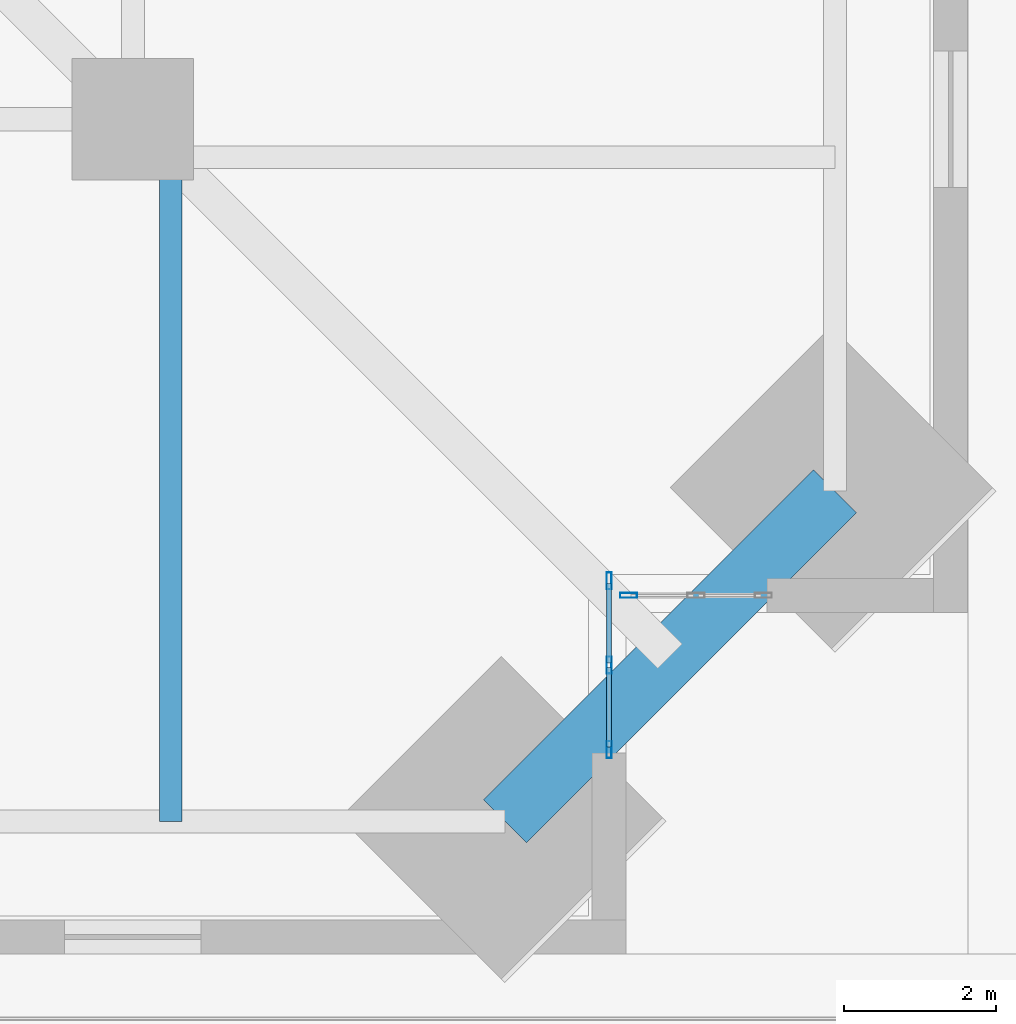
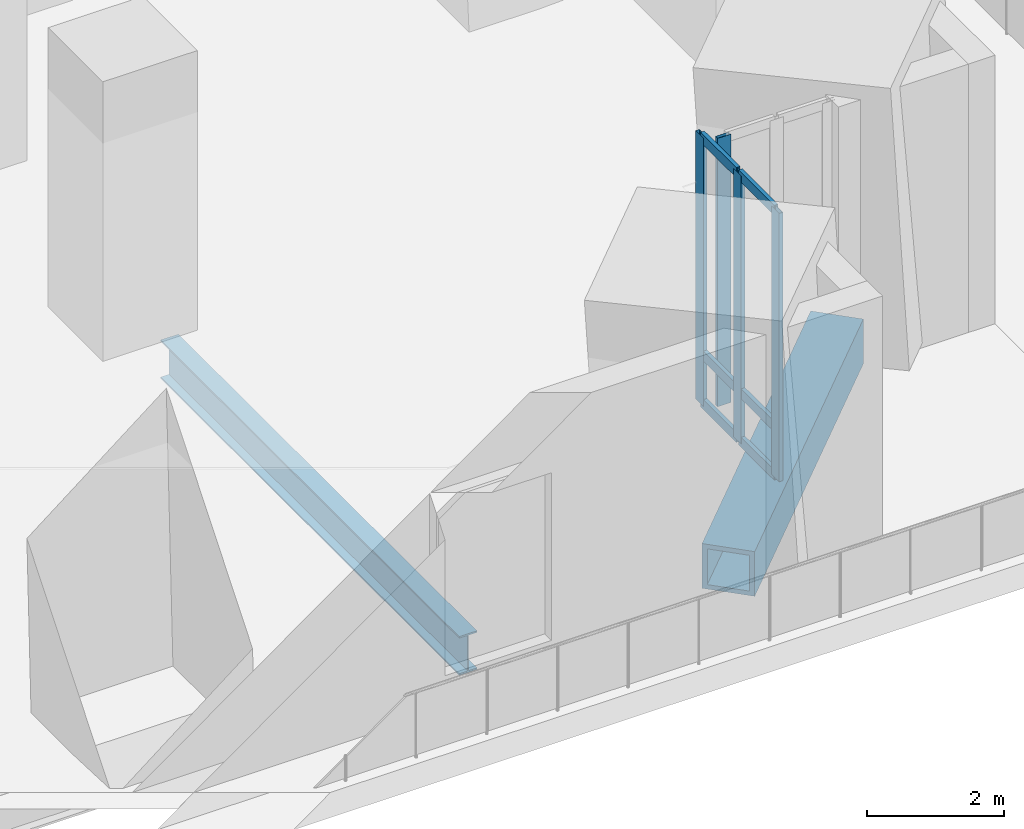
# One storey, part 4 of 26: 10 members, 2 beams, 2 elements without a shape of their own.
"""IFC4 building model written with IfcOpenShell, lengths in metres."""

from ifc_helpers import new_model, si_unit, direction, frame, origin, origin_2d, place, context, subcontext, project, spatial, hollow_rectangle, i_section, extrude, material, material_profile, profile_set, type_object, element, aggregate, save


model = new_model("IFC4")

# Units and contexts
model_context = context("Model", 3, precision=1e-05, world=origin(), true_north=direction((0.0, 1.0)))
body_context = subcontext(model_context, "Body", "Model", "MODEL_VIEW")
ifc_project = project(units=[si_unit("LENGTHUNIT", "METRE"), si_unit("AREAUNIT", "SQUARE_METRE"), si_unit("VOLUMEUNIT", "CUBIC_METRE"), si_unit("PLANEANGLEUNIT", "RADIAN"), si_unit("MASSUNIT", "GRAM", prefix="KILO")], contexts=[model_context])

# Site, building, storey
site_placement = place(None, origin())
site = spatial("IfcSite", under=ifc_project, at=site_placement, CompositionType="ELEMENT")
building_placement = place(site_placement, origin())
building = spatial("IfcBuilding", under=site, at=building_placement, Name="Peilmerk Tower", CompositionType="ELEMENT")
storey_placement = place(building_placement, frame((0.0, 0.0, 16.0)))
storey = spatial("IfcBuildingStorey", under=building, at=storey_placement, Name="L03", CompositionType="ELEMENT", Elevation=16.0)

# Beams
ifc_material_1 = material(Name="Steel S355", Category="steel")
ifc_material_profile_1 = material_profile(ifc_material_1, i_section(OverallWidth=0.300048828125, OverallDepth=0.68994140625, WebThickness=0.014404296875, FlangeThickness=0.027099609375, at=origin_2d()), Name="HEA 700")
ifc_profile_set_1 = profile_set([ifc_material_profile_1], Name="Steel S355")
beam_type_1 = type_object("IfcBeamType", Name="B16 HEA 700 floor beam", PredefinedType="BEAM", material=ifc_profile_set_1)
beam_1_placement = place(storey_placement, frame((21.5, -21.5, -0.544921875), z_axis=(0.0, -1.0, 0.0), x_axis=(1.0, 0.0, 0.0)))
element("IfcBeam", 1, at=beam_1_placement, inside=storey, type_object=beam_type_1, Name="Floor beam L03", PredefinedType="BEAM", context=body_context, shape_type="SweptSolid", body=[
    extrude(i_section(OverallWidth=0.300048828125, OverallDepth=0.68994140625, WebThickness=0.014404296875, FlangeThickness=0.027099609375, at=origin_2d()), origin(), (0.0, 0.0, 1.0), 8.751708984375),
])
ifc_material_2 = material(Name="Steel S460", Category="steel")
ifc_material_profile_2 = material_profile(ifc_material_2, hollow_rectangle(XDim=0.800048828125, YDim=0.800048828125, WallThickness=0.080078125, at=origin_2d()), Name="BOX 800x800x80")
ifc_profile_set_2 = profile_set([ifc_material_profile_2], Name="Steel S460")
beam_type_2 = type_object("IfcBeamType", Name="B8 BOX 800x800x80 notch beam", PredefinedType="SPANDREL", material=ifc_profile_set_2)
beam_2_placement = place(storey_placement, frame((30.251708984375, -25.901611328125, -0.60009765625), z_axis=(-0.707106781187, -0.707106781187, 0.0), x_axis=(0.707106781187, -0.707106781187, 0.0)))
element("IfcBeam", 2, at=beam_2_placement, inside=storey, type_object=beam_type_2, Name="Notch beam L03", PredefinedType="SPANDREL", context=body_context, shape_type="SweptSolid", body=[
    extrude(hollow_rectangle(XDim=0.800048828125, YDim=0.800048828125, WallThickness=0.080078125, at=origin_2d()), origin(), (0.0, 0.0, 1.0), 6.15185546875),
])

# Curtain wall, members
ifc_material_3 = material(Name="Aluminium stick curtain wall", Category="aluminium")
curtain_wall_type = type_object("IfcCurtainWallType", Name="CW1 stick curtain wall, 1500 module", PredefinedType="NOTDEFINED", material=ifc_material_3)
curtain_wall_1_placement = place(storey_placement, origin())
curtain_wall_1 = element("IfcCurtainWall", 3, at=curtain_wall_1_placement, inside=storey, type_object=curtain_wall_type, Name="Curtain wall CW1 SEA L03", PredefinedType="NOTDEFINED")
ifc_material_4 = material(Name="Aluminium EN AW-6063 T6", Category="aluminium")
ifc_material_profile_3 = material_profile(ifc_material_4, hollow_rectangle(XDim=0.06494140625, YDim=0.22509765625, WallThickness=0.00390625, at=origin_2d()), Name="AL 225x65x4")
ifc_profile_set_3 = profile_set([ifc_material_profile_3], Name="Aluminium EN AW-6063 T6")
member_type_1 = type_object("IfcMemberType", Name="CW1-M AL 225x65x4 mullion", PredefinedType="MULLION", material=ifc_profile_set_3)
member_1_placement = place(storey_placement, frame((27.27490234375, -27.08251953125, 0.0), z_axis=(0.0, 0.0, 1.0), x_axis=(1.0, 0.0, 0.0)))
member_1 = element("IfcMember", 4, at=member_1_placement, type_object=member_type_1, Name="CW1 mullion 1", PredefinedType="MULLION", context=body_context, shape_type="SweptSolid", body=[
    extrude(hollow_rectangle(XDim=0.06494140625, YDim=0.22509765625, WallThickness=0.00390625, at=origin_2d()), origin(), (0.0, 0.0, 1.0), 4.800048828125),
])
member_2_placement = place(storey_placement, frame((27.27490234375, -28.1943359375, 0.0), z_axis=(0.0, 0.0, 1.0), x_axis=(1.0, 0.0, 0.0)))
member_2 = element("IfcMember", 5, at=member_2_placement, type_object=member_type_1, Name="CW1 mullion 2", PredefinedType="MULLION", context=body_context, shape_type="SweptSolid", body=[
    extrude(hollow_rectangle(XDim=0.06494140625, YDim=0.22509765625, WallThickness=0.00390625, at=origin_2d()), origin(), (0.0, 0.0, 1.0), 4.800048828125),
])
member_3_placement = place(storey_placement, frame((27.27490234375, -29.30615234375, 0.0), z_axis=(0.0, 0.0, 1.0), x_axis=(1.0, 0.0, 0.0)))
member_3 = element("IfcMember", 6, at=member_3_placement, type_object=member_type_1, Name="CW1 mullion 3", PredefinedType="MULLION", context=body_context, shape_type="SweptSolid", body=[
    extrude(hollow_rectangle(XDim=0.06494140625, YDim=0.22509765625, WallThickness=0.00390625, at=origin_2d()), origin(), (0.0, 0.0, 1.0), 4.800048828125),
])

# Curtain wall, member
curtain_wall_2_placement = place(storey_placement, origin())
curtain_wall_2 = element("IfcCurtainWall", 7, at=curtain_wall_2_placement, inside=storey, type_object=curtain_wall_type, Name="Curtain wall CW1 SEB L03", PredefinedType="NOTDEFINED")
member_4_placement = place(storey_placement, frame((27.532470703125, -27.27490234375, 0.0), z_axis=(0.0, 0.0, 1.0), x_axis=(0.0, 1.0, 0.0)))
member_4 = element("IfcMember", 8, at=member_4_placement, type_object=member_type_1, Name="CW1 mullion 1", PredefinedType="MULLION", context=body_context, shape_type="SweptSolid", body=[
    extrude(hollow_rectangle(XDim=0.06494140625, YDim=0.22509765625, WallThickness=0.00390625, at=origin_2d()), origin(), (0.0, 0.0, 1.0), 4.800048828125),
])
aggregate(curtain_wall_2, [member_4])

# Member
ifc_material_profile_4 = material_profile(ifc_material_4, hollow_rectangle(XDim=0.06494140625, YDim=0.179931640625, WallThickness=0.0029296875, at=origin_2d()), Name="AL 180x65x3")
ifc_profile_set_4 = profile_set([ifc_material_profile_4], Name="Aluminium EN AW-6063 T6")
member_type_2 = type_object("IfcMemberType", Name="CW1-T AL 180x65x3 transom", PredefinedType="USERDEFINED", material=ifc_profile_set_4)
member_5_placement = place(storey_placement, frame((27.27490234375, -27.114990234375, 0.032470703125), z_axis=(0.0, -1.0, 0.0), x_axis=(1.0, 0.0, 0.0)))
member_5 = element("IfcMember", 9, at=member_5_placement, type_object=member_type_2, Name="CW1 transom 1.1", ObjectType="TRANSOM", PredefinedType="USERDEFINED", context=body_context, shape_type="SweptSolid", body=[
    extrude(hollow_rectangle(XDim=0.06494140625, YDim=0.179931640625, WallThickness=0.0029296875, at=origin_2d()), origin(), (0.0, 0.0, 1.0), 1.046875),
])

member_6_placement = place(storey_placement, frame((27.27490234375, -27.114990234375, 0.89990234375), z_axis=(0.0, -1.0, 0.0), x_axis=(1.0, 0.0, 0.0)))
member_6 = element("IfcMember", 10, at=member_6_placement, type_object=member_type_2, Name="CW1 transom 1.2", ObjectType="TRANSOM", PredefinedType="USERDEFINED", context=body_context, shape_type="SweptSolid", body=[
    extrude(hollow_rectangle(XDim=0.06494140625, YDim=0.179931640625, WallThickness=0.0029296875, at=origin_2d()), origin(), (0.0, 0.0, 1.0), 1.046875),
])

member_7_placement = place(storey_placement, frame((27.27490234375, -27.114990234375, 4.767578125), z_axis=(0.0, -1.0, 0.0), x_axis=(1.0, 0.0, 0.0)))
member_7 = element("IfcMember", 11, at=member_7_placement, type_object=member_type_2, Name="CW1 transom 1.3", ObjectType="TRANSOM", PredefinedType="USERDEFINED", context=body_context, shape_type="SweptSolid", body=[
    extrude(hollow_rectangle(XDim=0.06494140625, YDim=0.179931640625, WallThickness=0.0029296875, at=origin_2d()), origin(), (0.0, 0.0, 1.0), 1.046875),
])

member_8_placement = place(storey_placement, frame((27.27490234375, -28.226806640625, 0.032470703125), z_axis=(0.0, -1.0, 0.0), x_axis=(1.0, 0.0, 0.0)))
member_8 = element("IfcMember", 12, at=member_8_placement, type_object=member_type_2, Name="CW1 transom 2.1", ObjectType="TRANSOM", PredefinedType="USERDEFINED", context=body_context, shape_type="SweptSolid", body=[
    extrude(hollow_rectangle(XDim=0.06494140625, YDim=0.179931640625, WallThickness=0.0029296875, at=origin_2d()), origin(), (0.0, 0.0, 1.0), 1.046875),
])

member_9_placement = place(storey_placement, frame((27.27490234375, -28.226806640625, 0.89990234375), z_axis=(0.0, -1.0, 0.0), x_axis=(1.0, 0.0, 0.0)))
member_9 = element("IfcMember", 13, at=member_9_placement, type_object=member_type_2, Name="CW1 transom 2.2", ObjectType="TRANSOM", PredefinedType="USERDEFINED", context=body_context, shape_type="SweptSolid", body=[
    extrude(hollow_rectangle(XDim=0.06494140625, YDim=0.179931640625, WallThickness=0.0029296875, at=origin_2d()), origin(), (0.0, 0.0, 1.0), 1.046875),
])

member_10_placement = place(storey_placement, frame((27.27490234375, -28.226806640625, 4.767578125), z_axis=(0.0, -1.0, 0.0), x_axis=(1.0, 0.0, 0.0)))
member_10 = element("IfcMember", 14, at=member_10_placement, type_object=member_type_2, Name="CW1 transom 2.3", ObjectType="TRANSOM", PredefinedType="USERDEFINED", context=body_context, shape_type="SweptSolid", body=[
    extrude(hollow_rectangle(XDim=0.06494140625, YDim=0.179931640625, WallThickness=0.0029296875, at=origin_2d()), origin(), (0.0, 0.0, 1.0), 1.046875),
])

aggregate(curtain_wall_1, [member_1, member_2, member_3, member_5, member_6, member_7, member_8, member_9, member_10])

save(model, "model.ifc")
